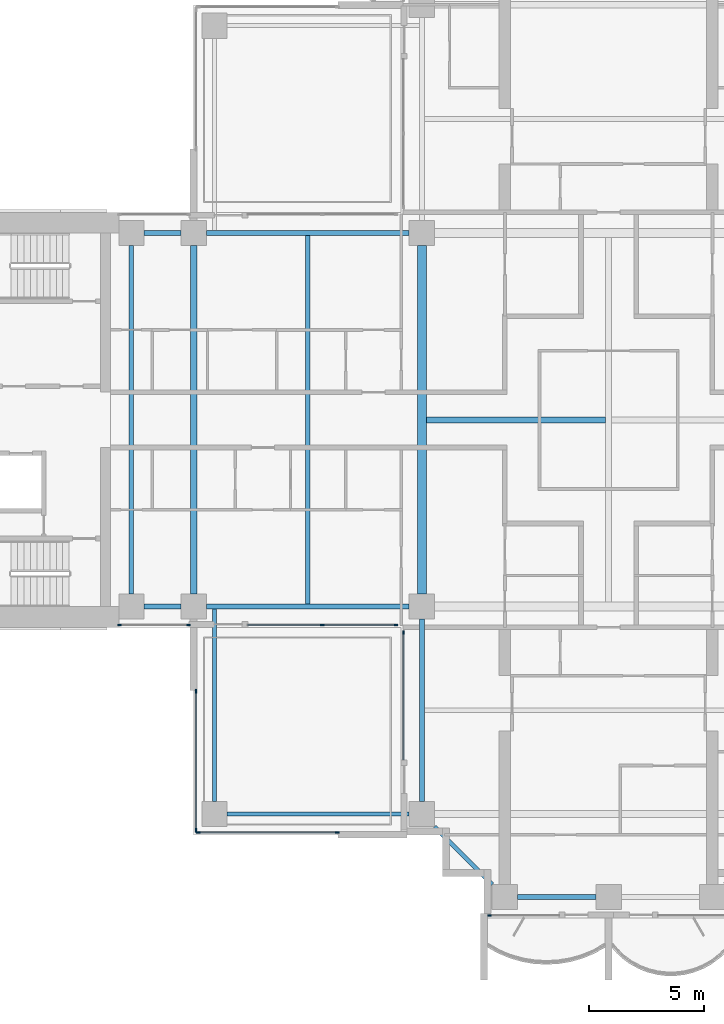
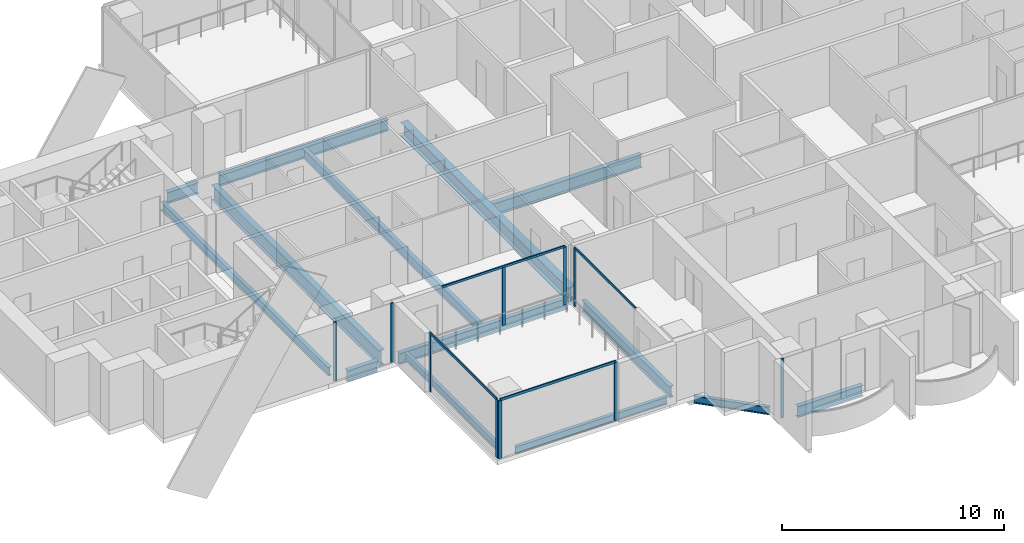
# One storey, part 2 of 19: 14 beams, 14 members, 6 elements without a shape of their own.
"""IFC4 building model written with IfcOpenShell, lengths in metres."""

from ifc_helpers import new_model, si_unit, direction, frame, origin, origin_2d, place, context, subcontext, project, spatial, rectangle, i_section, extrude, material, material_profile, profile_set, type_object, element, aggregate, save


model = new_model("IFC4")

# Units and contexts
model_context = context("Model", 3, precision=1e-05, world=origin(), true_north=direction((0.0, 1.0)))
body_context = subcontext(model_context, "Body", "Model", "MODEL_VIEW")
ifc_project = project(units=[si_unit("LENGTHUNIT", "METRE"), si_unit("AREAUNIT", "SQUARE_METRE"), si_unit("VOLUMEUNIT", "CUBIC_METRE"), si_unit("PLANEANGLEUNIT", "RADIAN"), si_unit("MASSUNIT", "GRAM", prefix="KILO")], contexts=[model_context])

# Site, building, storey
site_placement = place(None, origin())
site = spatial("IfcSite", under=ifc_project, at=site_placement, CompositionType="ELEMENT")
building_placement = place(site_placement, origin())
building = spatial("IfcBuilding", under=site, at=building_placement, Name="Perihelion Cross Residences", CompositionType="ELEMENT")
storey_placement = place(building_placement, frame((0.0, 0.0, 147.89990234375)))
storey = spatial("IfcBuildingStorey", under=building, at=storey_placement, Name="L36", CompositionType="ELEMENT", Elevation=147.89990234375)

# Curtain wall, members
ifc_material_1 = material(Name="Bronze anodised aluminium, tinted glazing", Category="aluminium")
curtain_wall_type_1 = type_object("IfcCurtainWallType", Name="CW1", PredefinedType="NOTDEFINED", material=ifc_material_1)
curtain_wall_1_placement = place(storey_placement, origin())
curtain_wall_1 = element("IfcCurtainWall", 1, at=curtain_wall_1_placement, inside=storey, type_object=curtain_wall_type_1, Name="Curtain wall CW1 L36 west side south bay 1", PredefinedType="NOTDEFINED")
ifc_material_2 = material(Name="Bronze anodised aluminium", Category="aluminium")
ifc_material_profile_1 = material_profile(ifc_material_2, rectangle(XDim=0.06005859375, YDim=0.159912109375, at=origin_2d()), Name="CW1 mullion")
ifc_profile_set_1 = profile_set([ifc_material_profile_1], Name="Bronze anodised aluminium")
member_type_1 = type_object("IfcMemberType", Name="CW1 mullion", PredefinedType="MULLION", material=ifc_profile_set_1)
member_1_placement = place(storey_placement, frame((-21.219970703125, -8.89990234375, 0.0), z_axis=(0.0, 0.0, 1.0), x_axis=(0.0, 1.0, 0.0)))
member_1 = element("IfcMember", 2, at=member_1_placement, type_object=member_type_1, Name="CW1 mullion 1", PredefinedType="MULLION", context=body_context, shape_type="SweptSolid", body=[
    extrude(rectangle(XDim=0.06005859375, YDim=0.159912109375, at=origin_2d()), origin(), (0.0, 0.0, 1.0), 3.25),
])
member_2_placement = place(storey_placement, frame((-18.22998046875, -8.89990234375, 0.0), z_axis=(0.0, 0.0, 1.0), x_axis=(0.0, 1.0, 0.0)))
member_2 = element("IfcMember", 3, at=member_2_placement, type_object=member_type_1, Name="CW1 mullion 2", PredefinedType="MULLION", context=body_context, shape_type="SweptSolid", body=[
    extrude(rectangle(XDim=0.06005859375, YDim=0.159912109375, at=origin_2d()), origin(), (0.0, 0.0, 1.0), 3.25),
])
aggregate(curtain_wall_1, [member_1, member_2])

curtain_wall_2_placement = place(storey_placement, origin())
curtain_wall_2 = element("IfcCurtainWall", 4, at=curtain_wall_2_placement, inside=storey, type_object=curtain_wall_type_1, Name="Curtain wall CW1 L36 west side south bay 2", PredefinedType="NOTDEFINED")
member_3_placement = place(storey_placement, frame((-12.425048828125, -8.89990234375, 0.0), z_axis=(0.0, 0.0, 1.0), x_axis=(0.0, 1.0, 0.0)))
member_3 = element("IfcMember", 5, at=member_3_placement, type_object=member_type_1, Name="CW1 mullion 2", PredefinedType="MULLION", context=body_context, shape_type="SweptSolid", body=[
    extrude(rectangle(XDim=0.06005859375, YDim=0.159912109375, at=origin_2d()), origin(), (0.0, 0.0, 1.0), 3.190185546875),
])
member_4_placement = place(storey_placement, frame((-9.22998046875, -8.89990234375, 0.0), z_axis=(0.0, 0.0, 1.0), x_axis=(0.0, 1.0, 0.0)))
member_4 = element("IfcMember", 6, at=member_4_placement, type_object=member_type_1, Name="CW1 mullion 3", PredefinedType="MULLION", context=body_context, shape_type="SweptSolid", body=[
    extrude(rectangle(XDim=0.06005859375, YDim=0.159912109375, at=origin_2d()), origin(), (0.0, 0.0, 1.0), 3.190185546875),
])

# Curtain wall, member
curtain_wall_3_placement = place(storey_placement, origin())
curtain_wall_3 = element("IfcCurtainWall", 7, at=curtain_wall_3_placement, inside=storey, type_object=curtain_wall_type_1, Name="Curtain wall CW1 L36 south side west bay 1", PredefinedType="NOTDEFINED")
member_5_placement = place(storey_placement, frame((-8.89990234375, -9.22998046875, 0.0), z_axis=(0.0, 0.0, 1.0), x_axis=(1.0, 0.0, 0.0)))
member_5 = element("IfcMember", 8, at=member_5_placement, type_object=member_type_1, Name="CW1 mullion 1", PredefinedType="MULLION", context=body_context, shape_type="SweptSolid", body=[
    extrude(rectangle(XDim=0.06005859375, YDim=0.159912109375, at=origin_2d()), origin(), (0.0, 0.0, 1.0), 3.190185546875),
])

curtain_wall_4_placement = place(storey_placement, origin())
curtain_wall_4 = element("IfcCurtainWall", 9, at=curtain_wall_4_placement, inside=storey, type_object=curtain_wall_type_1, Name="Curtain wall CW1 L36 south tip south bay 1", PredefinedType="NOTDEFINED")
member_6_placement = place(storey_placement, frame((-5.169921875, -21.5, 0.0), z_axis=(0.0, 0.0, 1.0), x_axis=(0.0, 1.0, 0.0)))
member_6 = element("IfcMember", 10, at=member_6_placement, type_object=member_type_1, Name="CW1 mullion 1", PredefinedType="MULLION", context=body_context, shape_type="SweptSolid", body=[
    extrude(rectangle(XDim=0.06005859375, YDim=0.159912109375, at=origin_2d()), origin(), (0.0, 0.0, 1.0), 3.25),
])
aggregate(curtain_wall_4, [member_6])

# Member
ifc_material_3 = material(Name="Bronze anodised aluminium", Category="aluminium")
ifc_material_profile_2 = material_profile(ifc_material_3, rectangle(XDim=0.06005859375, YDim=0.1201171875, at=origin_2d()), Name="CW1 transom")
ifc_profile_set_2 = profile_set([ifc_material_profile_2], Name="Bronze anodised aluminium")
member_type_2 = type_object("IfcMemberType", Name="CW1 transom", PredefinedType="USERDEFINED", material=ifc_profile_set_2)
member_7_placement = place(storey_placement, frame((-15.64990234375, -8.89990234375, 3.22021484375), z_axis=(1.0, 0.0, 0.0), x_axis=(0.0, 1.0, 0.0)))
member_7 = element("IfcMember", 11, at=member_7_placement, type_object=member_type_2, Name="CW1 head transom", ObjectType="TRANSOM", PredefinedType="USERDEFINED", context=body_context, shape_type="SweptSolid", body=[
    extrude(rectangle(XDim=0.06005859375, YDim=0.1201171875, at=origin_2d()), origin(), (0.0, 0.0, 1.0), 6.419921875),
])

aggregate(curtain_wall_2, [member_3, member_4, member_7])

member_8_placement = place(storey_placement, frame((-8.89990234375, -9.22998046875, 3.22021484375), z_axis=(0.0, -1.0, 0.0), x_axis=(1.0, 0.0, 0.0)))
member_8 = element("IfcMember", 12, at=member_8_placement, type_object=member_type_2, Name="CW1 head transom", ObjectType="TRANSOM", PredefinedType="USERDEFINED", context=body_context, shape_type="SweptSolid", body=[
    extrude(rectangle(XDim=0.06005859375, YDim=0.1201171875, at=origin_2d()), origin(), (0.0, 0.0, 1.0), 5.52001953125),
])

aggregate(curtain_wall_3, [member_5, member_8])

# Curtain wall, members
ifc_material_4 = material(Name="Bronze anodised aluminium, tinted glazing", Category="aluminium")
curtain_wall_type_2 = type_object("IfcCurtainWallType", Name="CW4", PredefinedType="NOTDEFINED", material=ifc_material_4)
curtain_wall_5_placement = place(storey_placement, origin())
curtain_wall_5 = element("IfcCurtainWall", 13, at=curtain_wall_5_placement, inside=storey, type_object=curtain_wall_type_2, Name="Curtain wall CW4 L36 pocket south-west 1 1", PredefinedType="NOTDEFINED")
ifc_material_5 = material(Name="Bronze anodised aluminium", Category="aluminium")
ifc_material_profile_3 = material_profile(ifc_material_5, rectangle(XDim=0.06005859375, YDim=0.179931640625, at=origin_2d()), Name="CW4 mullion")
ifc_profile_set_3 = profile_set([ifc_material_profile_3], Name="Bronze anodised aluminium")
member_type_3 = type_object("IfcMemberType", Name="CW4 mullion", PredefinedType="MULLION", material=ifc_profile_set_3)
member_9_placement = place(storey_placement, frame((-11.77001953125, -17.89990234375, 0.0), z_axis=(0.0, 0.0, 1.0), x_axis=(0.0, -1.0, 0.0)))
member_9 = element("IfcMember", 14, at=member_9_placement, type_object=member_type_3, Name="CW4 mullion 1", PredefinedType="MULLION", context=body_context, shape_type="SweptSolid", body=[
    extrude(rectangle(XDim=0.06005859375, YDim=0.179931640625, at=origin_2d()), origin(), (0.0, 0.0, 1.0), 3.190185546875),
])
member_10_placement = place(storey_placement, frame((-17.800048828125, -17.89990234375, 0.0), z_axis=(0.0, 0.0, 1.0), x_axis=(0.0, -1.0, 0.0)))
member_10 = element("IfcMember", 15, at=member_10_placement, type_object=member_type_3, Name="CW4 mullion 2", PredefinedType="MULLION", context=body_context, shape_type="SweptSolid", body=[
    extrude(rectangle(XDim=0.06005859375, YDim=0.179931640625, at=origin_2d()), origin(), (0.0, 0.0, 1.0), 3.190185546875),
])

curtain_wall_6_placement = place(storey_placement, origin())
curtain_wall_6 = element("IfcCurtainWall", 16, at=curtain_wall_6_placement, inside=storey, type_object=curtain_wall_type_2, Name="Curtain wall CW4 L36 pocket south-west 1 2", PredefinedType="NOTDEFINED")
member_11_placement = place(storey_placement, frame((-17.89990234375, -17.800048828125, 0.0), z_axis=(0.0, 0.0, 1.0), x_axis=(-1.0, 0.0, 0.0)))
member_11 = element("IfcMember", 17, at=member_11_placement, type_object=member_type_3, Name="CW4 mullion 1", PredefinedType="MULLION", context=body_context, shape_type="SweptSolid", body=[
    extrude(rectangle(XDim=0.06005859375, YDim=0.179931640625, at=origin_2d()), origin(), (0.0, 0.0, 1.0), 3.190185546875),
])
member_12_placement = place(storey_placement, frame((-17.89990234375, -11.77001953125, 0.0), z_axis=(0.0, 0.0, 1.0), x_axis=(-1.0, 0.0, 0.0)))
member_12 = element("IfcMember", 18, at=member_12_placement, type_object=member_type_3, Name="CW4 mullion 2", PredefinedType="MULLION", context=body_context, shape_type="SweptSolid", body=[
    extrude(rectangle(XDim=0.06005859375, YDim=0.179931640625, at=origin_2d()), origin(), (0.0, 0.0, 1.0), 3.190185546875),
])

# Member
ifc_material_6 = material(Name="Bronze anodised aluminium", Category="aluminium")
ifc_material_profile_4 = material_profile(ifc_material_6, rectangle(XDim=0.06005859375, YDim=0.139892578125, at=origin_2d()), Name="CW4 transom")
ifc_profile_set_4 = profile_set([ifc_material_profile_4], Name="Bronze anodised aluminium")
member_type_4 = type_object("IfcMemberType", Name="CW4 transom", PredefinedType="USERDEFINED", material=ifc_profile_set_4)
member_13_placement = place(storey_placement, frame((-11.77001953125, -17.89990234375, 3.22021484375), z_axis=(-1.0, 0.0, 0.0), x_axis=(0.0, -1.0, 0.0)))
member_13 = element("IfcMember", 19, at=member_13_placement, type_object=member_type_4, Name="CW4 head transom", ObjectType="TRANSOM", PredefinedType="USERDEFINED", context=body_context, shape_type="SweptSolid", body=[
    extrude(rectangle(XDim=0.06005859375, YDim=0.139892578125, at=origin_2d()), origin(), (0.0, 0.0, 1.0), 6.030029296875),
])

aggregate(curtain_wall_5, [member_9, member_10, member_13])

member_14_placement = place(storey_placement, frame((-17.89990234375, -17.800048828125, 3.22021484375), z_axis=(0.0, 1.0, 0.0), x_axis=(-1.0, 0.0, 0.0)))
member_14 = element("IfcMember", 20, at=member_14_placement, type_object=member_type_4, Name="CW4 head transom", ObjectType="TRANSOM", PredefinedType="USERDEFINED", context=body_context, shape_type="SweptSolid", body=[
    extrude(rectangle(XDim=0.06005859375, YDim=0.139892578125, at=origin_2d()), origin(), (0.0, 0.0, 1.0), 6.030029296875),
])

aggregate(curtain_wall_6, [member_11, member_12, member_14])

# Beams
ifc_material_7 = material(Name="Steel S355", Category="steel")
ifc_material_profile_5 = material_profile(ifc_material_7, i_section(OverallWidth=0.177978515625, OverallDepth=0.406005859375, WebThickness=0.0078125, FlangeThickness=0.0126953125, at=origin_2d()), Name="W410x60")
ifc_profile_set_5 = profile_set([ifc_material_profile_5], Name="Steel S355")
beam_type_1 = type_object("IfcBeamType", Name="Core edge beam W410x60", PredefinedType="BEAM", material=ifc_profile_set_5)
beam_1_placement = place(storey_placement, frame((-17.10009765625, -8.214599609375, -0.452880859375), z_axis=(0.0, -1.0, 0.0), x_axis=(1.0, 0.0, 0.0)))
element("IfcBeam", 21, at=beam_1_placement, inside=storey, type_object=beam_type_1, Name="Core edge beam TB2 L36 corner no. 1", PredefinedType="BEAM", context=body_context, shape_type="SweptSolid", body=[
    extrude(i_section(OverallWidth=0.177978515625, OverallDepth=0.406005859375, WebThickness=0.0078125, FlangeThickness=0.0126953125, at=origin_2d()), origin(), (0.0, 0.0, 1.0), 8.33544921875),
])
beam_2_placement = place(storey_placement, frame((-8.64990234375, -17.10009765625, -0.452880859375), z_axis=(-1.0, 0.0, 0.0), x_axis=(0.0, -1.0, 0.0)))
element("IfcBeam", 22, at=beam_2_placement, inside=storey, type_object=beam_type_1, Name="Core edge beam TB2 L36 corner no. 2", PredefinedType="BEAM", context=body_context, shape_type="SweptSolid", body=[
    extrude(i_section(OverallWidth=0.177978515625, OverallDepth=0.406005859375, WebThickness=0.0078125, FlangeThickness=0.0126953125, at=origin_2d()), origin(), (0.0, 0.0, 1.0), 7.900146484375),
])
ifc_material_8 = material(Name="Steel S355", Category="steel")
ifc_material_profile_6 = material_profile(ifc_material_8, i_section(OverallWidth=0.194091796875, OverallDepth=0.469970703125, WebThickness=0.0126953125, FlangeThickness=0.0205078125, at=origin_2d()), Name="W460x106")
ifc_profile_set_6 = profile_set([ifc_material_profile_6], Name="Steel S355")
beam_type_2 = type_object("IfcBeamType", Name="Core edge beam W460x106", PredefinedType="BEAM", material=ifc_profile_set_6)
beam_3_placement = place(storey_placement, frame((-20.699951171875, -7.550048828125, -0.48486328125), z_axis=(0.0, 1.0, 0.0), x_axis=(-1.0, 0.0, 0.0)))
element("IfcBeam", 23, at=beam_3_placement, inside=storey, type_object=beam_type_2, Name="Core edge beam TB5 L36 no. 1", PredefinedType="BEAM", context=body_context, shape_type="SweptSolid", body=[
    extrude(i_section(OverallWidth=0.194091796875, OverallDepth=0.469970703125, WebThickness=0.0126953125, FlangeThickness=0.0205078125, at=origin_2d()), origin(), (0.0, 0.0, 1.0), 15.10009765625),
])
ifc_material_9 = material(Name="Steel S355", Category="steel")
ifc_material_profile_7 = material_profile(ifc_material_9, i_section(OverallWidth=0.22900390625, OverallDepth=0.612060546875, WebThickness=0.011962890625, FlangeThickness=0.01953125, at=origin_2d()), Name="W610x125")
ifc_profile_set_7 = profile_set([ifc_material_profile_7], Name="Steel S355")
beam_type_3 = type_object("IfcBeamType", Name="Edge beam W610x125", PredefinedType="SPANDREL", material=ifc_profile_set_7)
beam_4_placement = place(storey_placement, frame((-8.64990234375, 8.10009765625, -0.555908203125), z_axis=(-1.0, 0.0, 0.0), x_axis=(0.0, -1.0, 0.0)))
element("IfcBeam", 24, at=beam_4_placement, inside=storey, type_object=beam_type_3, Name="Edge beam SB3 L36 no. 8", PredefinedType="SPANDREL", context=body_context, shape_type="SweptSolid", body=[
    extrude(i_section(OverallWidth=0.22900390625, OverallDepth=0.612060546875, WebThickness=0.011962890625, FlangeThickness=0.01953125, at=origin_2d()), origin(), (0.0, 0.0, 1.0), 8.800048828125),
])
for number, where, z_axis, x_axis, name in (
    (25, (-18.550048828125, 8.10009765625, -0.555908203125), (-1.0, 0.0, 0.0), (0.0, -1.0, 0.0), "Edge beam SB3 L36 no. 2"),
    (26, (-20.14990234375, -8.10009765625, -0.555908203125), (1.0, 0.0, 0.0), (0.0, 1.0, 0.0), "Edge beam SB3 L36 no. 3"),
):
    element("IfcBeam", number, at=place(storey_placement, frame(where, z_axis=z_axis, x_axis=x_axis)), inside=storey, type_object=beam_type_3, Name=name, PredefinedType="SPANDREL", context=body_context, shape_type="SweptSolid", body=[
        extrude(i_section(OverallWidth=0.22900390625, OverallDepth=0.612060546875, WebThickness=0.011962890625, FlangeThickness=0.01953125, at=origin_2d()), origin(), (0.0, 0.0, 1.0), 1.599853515625),
    ])
beam_5_placement = place(storey_placement, frame((-17.449951171875, -8.10009765625, -0.555908203125), z_axis=(1.0, 0.0, 0.0), x_axis=(0.0, 1.0, 0.0)))
element("IfcBeam", 27, at=beam_5_placement, inside=storey, type_object=beam_type_3, Name="Edge beam SB3 L36 no. 1", PredefinedType="SPANDREL", context=body_context, shape_type="SweptSolid", body=[
    extrude(i_section(OverallWidth=0.22900390625, OverallDepth=0.612060546875, WebThickness=0.011962890625, FlangeThickness=0.01953125, at=origin_2d()), origin(), (0.0, 0.0, 1.0), 8.800048828125),
])
beam_6_placement = place(storey_placement, frame((-8.10009765625, -8.64990234375, -0.555908203125), z_axis=(0.0, -1.0, 0.0), x_axis=(1.0, 0.0, 0.0)))
element("IfcBeam", 28, at=beam_6_placement, inside=storey, type_object=beam_type_3, Name="Edge beam SB3 L36 no. 5", PredefinedType="SPANDREL", context=body_context, shape_type="SweptSolid", body=[
    extrude(i_section(OverallWidth=0.22900390625, OverallDepth=0.612060546875, WebThickness=0.011962890625, FlangeThickness=0.01953125, at=origin_2d()), origin(), (0.0, 0.0, 1.0), 7.900146484375),
])
beam_7_placement = place(storey_placement, frame((-3.949951171875, -20.699951171875, -0.555908203125), z_axis=(1.0, 0.0, 0.0), x_axis=(0.0, 1.0, 0.0)))
element("IfcBeam", 29, at=beam_7_placement, inside=storey, type_object=beam_type_3, Name="Edge beam SB3 L36 no. 4", PredefinedType="SPANDREL", context=body_context, shape_type="SweptSolid", body=[
    extrude(i_section(OverallWidth=0.22900390625, OverallDepth=0.612060546875, WebThickness=0.011962890625, FlangeThickness=0.01953125, at=origin_2d()), origin(), (0.0, 0.0, 1.0), 3.39990234375),
])
ifc_material_10 = material(Name="Steel S355", Category="steel")
ifc_material_profile_8 = material_profile(ifc_material_10, i_section(OverallWidth=0.2919921875, OverallDepth=0.8359375, WebThickness=0.013916015625, FlangeThickness=0.018798828125, at=origin_2d()), Name="W840x176")
ifc_profile_set_8 = profile_set([ifc_material_profile_8], Name="Steel S355")
beam_type_4 = type_object("IfcBeamType", Name="Floor girder W840x176", PredefinedType="BEAM", material=ifc_profile_set_8)
beam_8_placement = place(storey_placement, frame((-18.0, -7.550048828125, -0.66796875), z_axis=(0.0, 1.0, 0.0), x_axis=(-1.0, 0.0, 0.0)))
element("IfcBeam", 30, at=beam_8_placement, inside=storey, type_object=beam_type_4, Name="Girder G3 L36 no. 1", PredefinedType="BEAM", context=body_context, shape_type="SweptSolid", body=[
    extrude(i_section(OverallWidth=0.2919921875, OverallDepth=0.8359375, WebThickness=0.013916015625, FlangeThickness=0.018798828125, at=origin_2d()), origin(), (0.0, 0.0, 1.0), 15.10009765625),
])
ifc_material_11 = material(Name="Steel S355", Category="steel")
ifc_material_profile_9 = material_profile(ifc_material_11, i_section(OverallWidth=0.208984375, OverallDepth=0.532958984375, WebThickness=0.01025390625, FlangeThickness=0.015625, at=origin_2d()), Name="W530x92")
ifc_profile_set_9 = profile_set([ifc_material_profile_9], Name="Steel S355")
beam_type_5 = type_object("IfcBeamType", Name="Floor joist W530x92", PredefinedType="JOIST", material=ifc_profile_set_9)
beam_9_placement = place(storey_placement, frame((-13.050048828125, -7.985595703125, -0.516357421875), z_axis=(0.0, 1.0, 0.0), x_axis=(-1.0, 0.0, 0.0)))
element("IfcBeam", 31, at=beam_9_placement, inside=storey, type_object=beam_type_5, Name="Joist J4 L36 no. 1", PredefinedType="JOIST", context=body_context, shape_type="SweptSolid", body=[
    extrude(i_section(OverallWidth=0.208984375, OverallDepth=0.532958984375, WebThickness=0.01025390625, FlangeThickness=0.015625, at=origin_2d()), origin(), (0.0, 0.0, 1.0), 15.97119140625),
])
ifc_material_12 = material(Name="Steel S355", Category="steel")
ifc_material_profile_10 = material_profile(ifc_material_12, i_section(OverallWidth=0.257080078125, OverallDepth=0.693115234375, WebThickness=0.014404296875, FlangeThickness=0.023681640625, at=origin_2d()), Name="W690x170")
ifc_profile_set_10 = profile_set([ifc_material_profile_10], Name="Steel S355")
beam_type_6 = type_object("IfcBeamType", Name="Hub cross beam W690x170", PredefinedType="BEAM", material=ifc_profile_set_10)
beam_10_placement = place(storey_placement, frame((-7.909423828125, 0.0, -0.596435546875), z_axis=(1.0, 0.0, 0.0), x_axis=(0.0, 1.0, 0.0)))
element("IfcBeam", 32, at=beam_10_placement, inside=storey, type_object=beam_type_6, Name="Hub cross beam XB3 L36 1 no. 1", PredefinedType="BEAM", context=body_context, shape_type="SweptSolid", body=[
    extrude(i_section(OverallWidth=0.257080078125, OverallDepth=0.693115234375, WebThickness=0.014404296875, FlangeThickness=0.023681640625, at=origin_2d()), origin(), (0.0, 0.0, 1.0), 7.781005859375),
])
ifc_material_13 = material(Name="Steel S355", Category="steel")
ifc_material_profile_11 = material_profile(ifc_material_13, i_section(OverallWidth=0.381103515625, OverallDepth=0.77197265625, WebThickness=0.0166015625, FlangeThickness=0.027099609375, at=origin_2d()), Name="W760x257")
ifc_profile_set_11 = profile_set([ifc_material_profile_11], Name="Steel S355")
beam_type_7 = type_object("IfcBeamType", Name="Hub ring girder W760x257", PredefinedType="BEAM", material=ifc_profile_set_11)
beam_11_placement = place(storey_placement, frame((-8.10009765625, 7.550048828125, -0.635986328125), z_axis=(0.0, -1.0, 0.0), x_axis=(1.0, 0.0, 0.0)))
element("IfcBeam", 33, at=beam_11_placement, inside=storey, type_object=beam_type_7, Name="Hub ring girder RG3 L36 no. 2", PredefinedType="BEAM", context=body_context, shape_type="SweptSolid", body=[
    extrude(i_section(OverallWidth=0.381103515625, OverallDepth=0.77197265625, WebThickness=0.0166015625, FlangeThickness=0.027099609375, at=origin_2d()), origin(), (0.0, 0.0, 1.0), 15.10009765625),
])
ifc_material_14 = material(Name="Steel S355", Category="steel")
ifc_material_profile_12 = material_profile(ifc_material_14, i_section(OverallWidth=0.180908203125, OverallDepth=0.4169921875, WebThickness=0.010986328125, FlangeThickness=0.018310546875, at=origin_2d()), Name="W410x85")
ifc_profile_set_12 = profile_set([ifc_material_profile_12], Name="Steel S355")
beam_type_8 = type_object("IfcBeamType", Name="Serration edge beam W410x85", PredefinedType="BEAM", material=ifc_profile_set_12)
beam_12_placement = place(storey_placement, frame((-7.550048828125, -17.64990234375, -0.45849609375), z_axis=(0.707106781187, -0.707106781187, 0.0), x_axis=(0.707106781187, 0.707106781187, 0.0)))
element("IfcBeam", 34, at=beam_12_placement, inside=storey, type_object=beam_type_8, Name="Serration edge beam EB3 L36 no. 2", PredefinedType="BEAM", context=body_context, shape_type="SweptSolid", body=[
    extrude(i_section(OverallWidth=0.180908203125, OverallDepth=0.4169921875, WebThickness=0.010986328125, FlangeThickness=0.018310546875, at=origin_2d()), origin(), (0.0, 0.0, 1.0), 3.53564453125),
])

save(model, "model.ifc")
